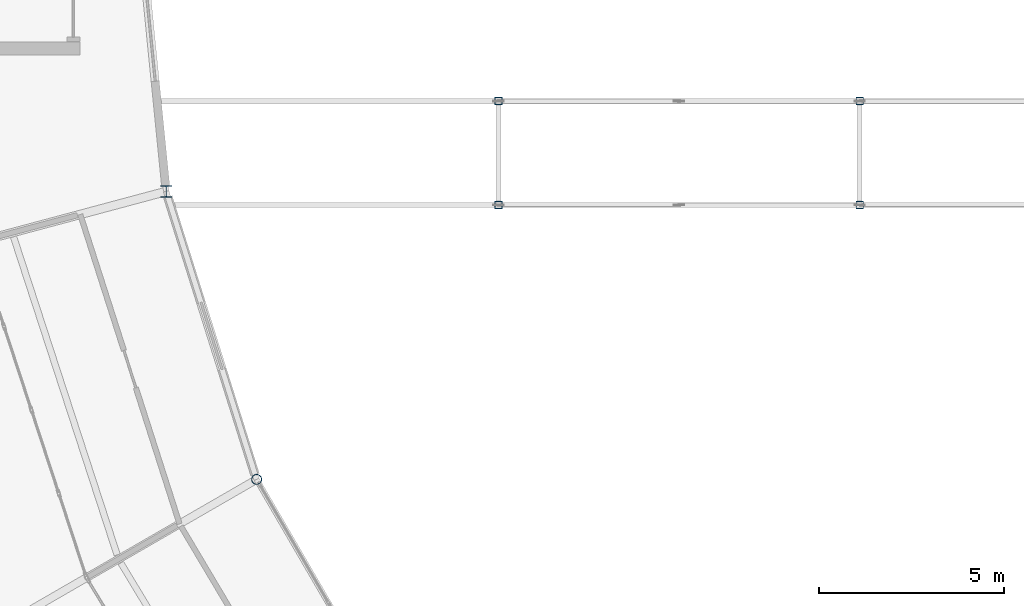
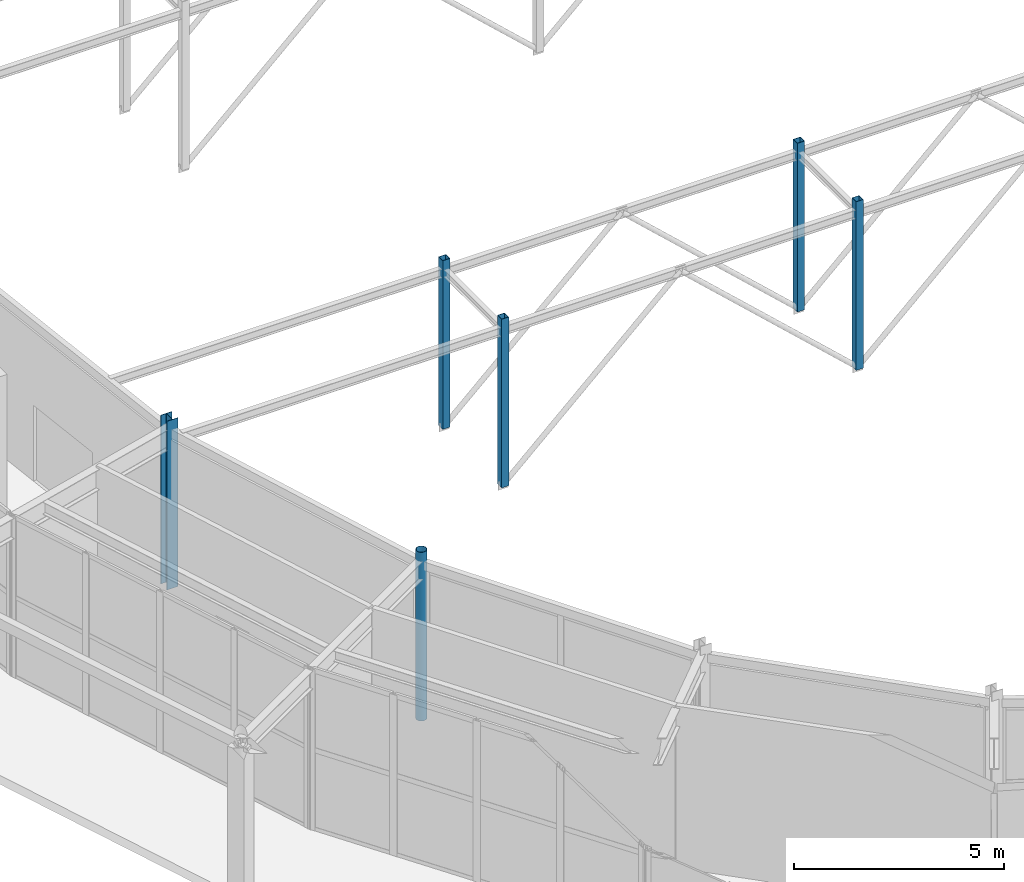
# One storey, part 4 of 144: 6 columns.
"""IFC4 building model written with IfcOpenShell, lengths in metres."""

from ifc_helpers import new_model, si_unit, direction, frame, origin, origin_2d, place, context, subcontext, project, spatial, hollow_rectangle, hollow_circle, i_section, extrude, material, material_profile, profile_set, type_object, element, save


model = new_model("IFC4")

# Units and contexts
model_context = context("Model", 3, precision=1e-05, world=origin(), true_north=direction((0.0, 1.0)))
body_context = subcontext(model_context, "Body", "Model", "MODEL_VIEW")
ifc_project = project(units=[si_unit("LENGTHUNIT", "METRE"), si_unit("AREAUNIT", "SQUARE_METRE"), si_unit("VOLUMEUNIT", "CUBIC_METRE"), si_unit("PLANEANGLEUNIT", "RADIAN"), si_unit("MASSUNIT", "GRAM", prefix="KILO")], contexts=[model_context])

# Site, building, storey
site_placement = place(None, origin())
site = spatial("IfcSite", under=ifc_project, at=site_placement, CompositionType="ELEMENT")
building_placement = place(site_placement, origin())
building = spatial("IfcBuilding", under=site, at=building_placement, Name="Karori Crest Natural Sciences Institute", CompositionType="ELEMENT")
storey_placement = place(building_placement, origin())
storey = spatial("IfcBuildingStorey", under=building, at=storey_placement, Name="L00", CompositionType="ELEMENT", Elevation=0.0)

# Columns
ifc_material_1 = material(Name="Hollow structural steel AS/NZS 1163 Grade C350", Category="steel")
ifc_material_profile_1 = material_profile(ifc_material_1, hollow_rectangle(XDim=0.199951171875, YDim=0.199951171875, WallThickness=0.010009765625, at=origin_2d()), Name="SHS200x200x10")
ifc_profile_set_1 = profile_set([ifc_material_profile_1], Name="Hollow structural steel AS/NZS 1163 Grade C350")
column_type_1 = type_object("IfcColumnType", Name="CT-13-EL", PredefinedType="COLUMN", material=ifc_profile_set_1)
for number, where, z_axis, x_axis, name in (
    (1, (51.7900390625, 41.199951171875, 0.0), (0.0, 0.0, 1.0), (1.0, 0.0, 0.0), "Column C-0398"),
    (2, (51.7900390625, 44.0, 0.0), (0.0, 0.0, 1.0), (1.0, 0.0, 0.0), "Column C-0403"),
    (3, (61.530029296875, 41.199951171875, 0.0), (0.0, 0.0, 1.0), (1.0, 0.0, 0.0), "Column C-0408"),
    (4, (61.530029296875, 44.0, 0.0), (0.0, 0.0, 1.0), (1.0, 0.0, 0.0), "Column C-0413"),
):
    element("IfcColumn", number, at=place(storey_placement, frame(where, z_axis=z_axis, x_axis=x_axis)), inside=storey, type_object=column_type_1, Name=name, PredefinedType="COLUMN", context=body_context, shape_type="SweptSolid", body=[
        extrude(hollow_rectangle(XDim=0.199951171875, YDim=0.199951171875, WallThickness=0.010009765625, at=origin_2d()), origin(), (0.0, 0.0, 1.0), 4.89990234375),
    ])
ifc_material_profile_2 = material_profile(ifc_material_1, hollow_circle(Radius=0.136474609375, WallThickness=0.00927734375, at=origin_2d()), Name="CHS273.0x9.3")
ifc_profile_set_2 = profile_set([ifc_material_profile_2], Name="Hollow structural steel AS/NZS 1163 Grade C350")
column_type_2 = type_object("IfcColumnType", Name="CT-16", PredefinedType="COLUMN", material=ifc_profile_set_2)
column_1_placement = place(storey_placement, frame((45.26904296875, 33.800048828125, 0.0), z_axis=(0.0, 0.0, 1.0), x_axis=(1.0, 0.0, 0.0)))
element("IfcColumn", 5, at=column_1_placement, inside=storey, type_object=column_type_2, Name="Column C-0240", PredefinedType="COLUMN", context=body_context, shape_type="SweptSolid", body=[
    extrude(hollow_circle(Radius=0.136474609375, WallThickness=0.00927734375, at=origin_2d()), origin(), (0.0, 0.0, 1.0), 4.89990234375),
])
ifc_material_2 = material(Name="Structural steel AS/NZS 3679.1 Grade 350", Category="steel")
ifc_material_profile_3 = material_profile(ifc_material_2, i_section(OverallWidth=0.304931640625, OverallDepth=0.30810546875, WebThickness=0.010009765625, FlangeThickness=0.015380859375, FilletRadius=0.01708984375, at=origin_2d()), Name="310UC96.8")
ifc_profile_set_3 = profile_set([ifc_material_profile_3], Name="Structural steel AS/NZS 3679.1 Grade 350")
column_type_3 = type_object("IfcColumnType", Name="CT-25", PredefinedType="COLUMN", material=ifc_profile_set_3)
column_2_placement = place(storey_placement, frame((42.831298828125, 41.56591796875, 0.0), z_axis=(0.0, 0.0, 1.0), x_axis=(1.0, 0.0, 0.0)))
element("IfcColumn", 6, at=column_2_placement, inside=storey, type_object=column_type_3, Name="Column C-0224", PredefinedType="COLUMN", context=body_context, shape_type="SweptSolid", body=[
    extrude(i_section(OverallWidth=0.304931640625, OverallDepth=0.30810546875, WebThickness=0.010009765625, FlangeThickness=0.015380859375, FilletRadius=0.01708984375, at=origin_2d()), origin(), (0.0, 0.0, 1.0), 4.89990234375),
])

save(model, "model.ifc")
